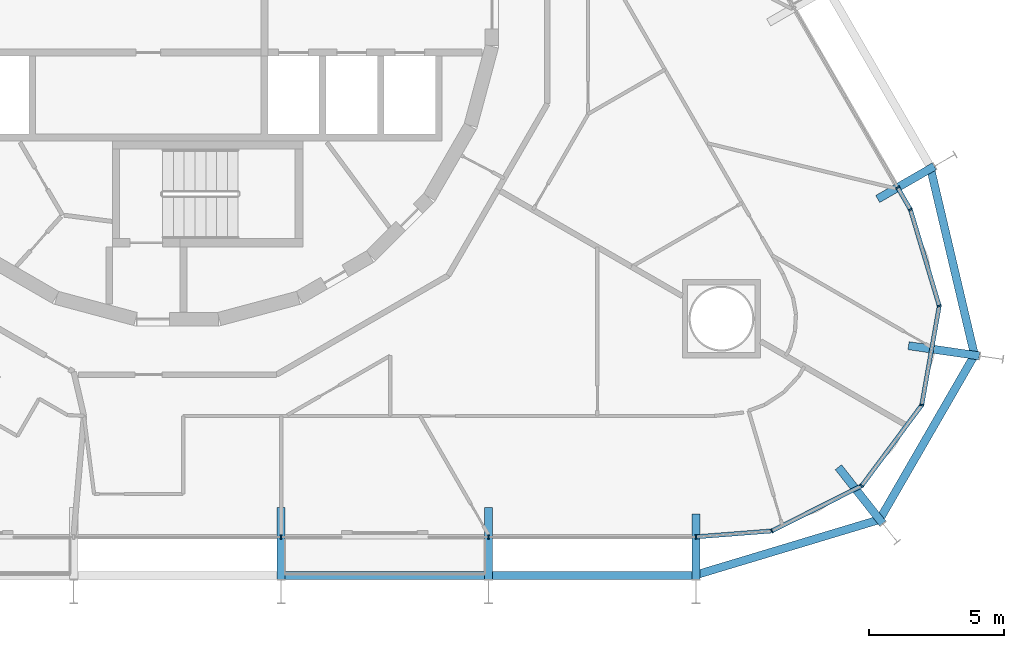
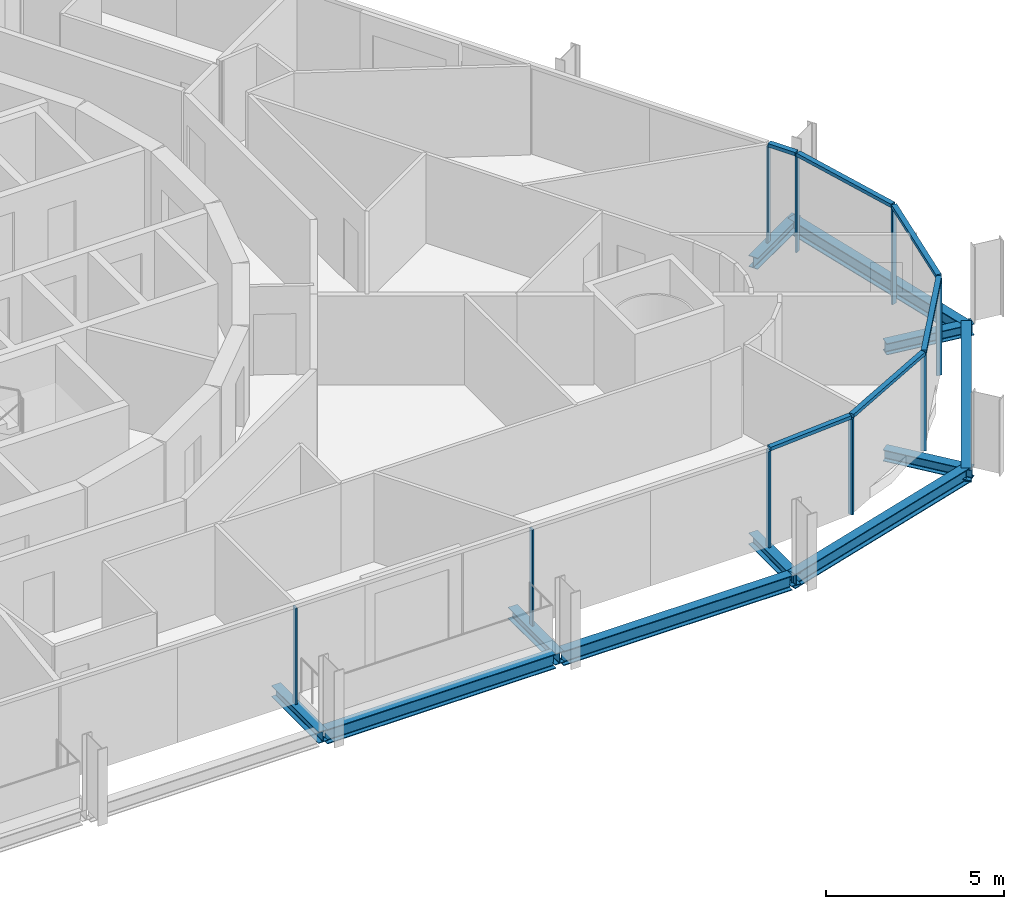
# One storey, part 6 of 20: 15 members, 11 beams, 3 elements without a shape of their own.
"""IFC4 building model written with IfcOpenShell, lengths in metres."""

from ifc_helpers import new_model, si_unit, direction, frame, origin, origin_2d, place, context, subcontext, project, spatial, rectangle, i_section, extrude, material, layer, layer_set, material_profile, profile_set, type_object, element, aggregate, save


model = new_model("IFC4")

# Units and contexts
model_context = context("Model", 3, precision=1e-05, world=origin(), true_north=direction((0.0, 1.0)))
body_context = subcontext(model_context, "Body", "Model", "MODEL_VIEW")
ifc_project = project(units=[si_unit("LENGTHUNIT", "METRE"), si_unit("AREAUNIT", "SQUARE_METRE"), si_unit("VOLUMEUNIT", "CUBIC_METRE"), si_unit("PLANEANGLEUNIT", "RADIAN"), si_unit("MASSUNIT", "GRAM", prefix="KILO")], contexts=[model_context])

# Site, building, storey
site_placement = place(None, origin())
site = spatial("IfcSite", under=ifc_project, at=site_placement, CompositionType="ELEMENT")
building_placement = place(site_placement, origin())
building = spatial("IfcBuilding", under=site, at=building_placement, Name="Spindle Arch Residences", CompositionType="ELEMENT")
storey_placement = place(building_placement, frame((0.0, 0.0, 66.39990234375)))
storey = spatial("IfcBuildingStorey", under=building, at=storey_placement, Name="L15", CompositionType="ELEMENT", Elevation=66.39990234375)

# Curtain wall, members
ifc_material_1 = material(Name="Aluminium bronze unitised frame with tinted glass", Category="aluminium")
ifc_layer_1 = layer(ifc_material_1, 0.159912109375)
ifc_layer_set_1 = layer_set([ifc_layer_1], Name="CW-D corner wall on the fillet arcs")
curtain_wall_type_1 = type_object("IfcCurtainWallType", Name="CW-D corner wall on the fillet arcs", PredefinedType="NOTDEFINED", material=ifc_layer_set_1)
curtain_wall_1_placement = place(storey_placement, origin())
curtain_wall_1 = element("IfcCurtainWall", 1, at=curtain_wall_1_placement, inside=storey, type_object=curtain_wall_type_1, Name="CW-D L15 run 1", PredefinedType="NOTDEFINED")
ifc_material_2 = material(Name="Aluminium bronze anodised mullion", Category="aluminium")
ifc_material_profile_1 = material_profile(ifc_material_2, rectangle(XDim=0.159912109375, YDim=0.06005859375, at=origin_2d()), Name="MU 60x160")
ifc_profile_set_1 = profile_set([ifc_material_profile_1], Name="Aluminium bronze anodised mullion")
member_type_1 = type_object("IfcMemberType", Name="Bronze mullion 60x160", PredefinedType="MULLION", material=ifc_profile_set_1)
member_1_placement = place(storey_placement, frame((19.2001953125, -19.7099609375, -0.3798828125), z_axis=(0.0, 0.0, 1.0), x_axis=(-0.077364085451, 0.997002907861, 0.0)))
member_1 = element("IfcMember", 2, at=member_1_placement, type_object=member_type_1, Name="CW-D mullion 00", PredefinedType="MULLION", context=body_context, shape_type="SweptSolid", body=[
    extrude(rectangle(XDim=0.159912109375, YDim=0.06005859375, at=origin_2d()), origin(), (0.0, 0.0, 1.0), 3.31005859375),
])
member_2_placement = place(storey_placement, frame((22.007080078125, -19.4921875, -0.3798828125), z_axis=(0.0, 0.0, 1.0), x_axis=(-0.448799176213, 0.893632642326, 0.0)))
member_2 = element("IfcMember", 3, at=member_2_placement, type_object=member_type_1, Name="CW-D mullion 01", PredefinedType="MULLION", context=body_context, shape_type="SweptSolid", body=[
    extrude(rectangle(XDim=0.159912109375, YDim=0.06005859375, at=origin_2d()), origin(), (0.0, 0.0, 1.0), 3.31005859375),
])
member_3_placement = place(storey_placement, frame((25.33740234375, -17.819580078125, -0.3798828125), z_axis=(0.0, 0.0, 1.0), x_axis=(-0.802123189687, 0.597158595823, 0.0)))
member_3 = element("IfcMember", 4, at=member_3_placement, type_object=member_type_1, Name="CW-D mullion 02", PredefinedType="MULLION", context=body_context, shape_type="SweptSolid", body=[
    extrude(rectangle(XDim=0.159912109375, YDim=0.06005859375, at=origin_2d()), origin(), (0.0, 0.0, 1.0), 3.31005859375),
])
member_4_placement = place(storey_placement, frame((27.562744140625, -14.830322265625, -0.3798828125), z_axis=(0.0, 0.0, 1.0), x_axis=(-0.984807752421, 0.173648181019, 0.0)))
member_4 = element("IfcMember", 5, at=member_4_placement, type_object=member_type_1, Name="CW-D mullion 03", PredefinedType="MULLION", context=body_context, shape_type="SweptSolid", body=[
    extrude(rectangle(XDim=0.159912109375, YDim=0.06005859375, at=origin_2d()), origin(), (0.0, 0.0, 1.0), 3.31005859375),
])
member_5_placement = place(storey_placement, frame((28.2099609375, -11.16015625, -0.3798828125), z_axis=(0.0, 0.0, 1.0), x_axis=(-0.957989512975, -0.28680323051, 0.0)))
member_5 = element("IfcMember", 6, at=member_5_placement, type_object=member_type_1, Name="CW-D mullion 04", PredefinedType="MULLION", context=body_context, shape_type="SweptSolid", body=[
    extrude(rectangle(XDim=0.159912109375, YDim=0.06005859375, at=origin_2d()), origin(), (0.0, 0.0, 1.0), 3.31005859375),
])
member_6_placement = place(storey_placement, frame((27.14111328125, -7.58984375, -0.3798828125), z_axis=(0.0, 0.0, 1.0), x_axis=(-0.866025403784, -0.5, 0.0)))
member_6 = element("IfcMember", 7, at=member_6_placement, type_object=member_type_1, Name="CW-D mullion 05", PredefinedType="MULLION", context=body_context, shape_type="SweptSolid", body=[
    extrude(rectangle(XDim=0.159912109375, YDim=0.06005859375, at=origin_2d()), origin(), (0.0, 0.0, 1.0), 3.31005859375),
])

# Curtain wall, member
ifc_material_3 = material(Name="Aluminium bronze unitised frame with tinted glass", Category="aluminium")
ifc_layer_2 = layer(ifc_material_3, 0.159912109375)
ifc_layer_set_2 = layer_set([ifc_layer_2], Name="CW-C typical residential unitised wall")
curtain_wall_type_2 = type_object("IfcCurtainWallType", Name="CW-C typical residential unitised wall", PredefinedType="NOTDEFINED", material=ifc_layer_set_2)
curtain_wall_2_placement = place(storey_placement, origin())
curtain_wall_2 = element("IfcCurtainWall", 8, at=curtain_wall_2_placement, inside=storey, type_object=curtain_wall_type_2, Name="CW-C L15 run 2", PredefinedType="NOTDEFINED")
member_7_placement = place(storey_placement, frame((26.66943359375, -6.77294921875, -0.3798828125), z_axis=(0.0, 0.0, 1.0), x_axis=(-0.866025403784, -0.5, 0.0)))
member_7 = element("IfcMember", 9, at=member_7_placement, type_object=member_type_1, Name="CW-C mullion 05", PredefinedType="MULLION", context=body_context, shape_type="SweptSolid", body=[
    extrude(rectangle(XDim=0.159912109375, YDim=0.06005859375, at=origin_2d()), origin(), (0.0, 0.0, 1.0), 3.31005859375),
])
aggregate(curtain_wall_2, [member_7])

# Curtain wall, members
curtain_wall_3_placement = place(storey_placement, origin())
curtain_wall_3 = element("IfcCurtainWall", 10, at=curtain_wall_3_placement, inside=storey, type_object=curtain_wall_type_2, Name="CW-C L15 run 6", PredefinedType="NOTDEFINED")
member_8_placement = place(storey_placement, frame((3.840087890625, -19.7099609375, -0.3798828125), z_axis=(0.0, 0.0, 1.0), x_axis=(0.0, 1.0, 0.0)))
member_8 = element("IfcMember", 11, at=member_8_placement, type_object=member_type_1, Name="CW-C mullion 00", PredefinedType="MULLION", context=body_context, shape_type="SweptSolid", body=[
    extrude(rectangle(XDim=0.159912109375, YDim=0.06005859375, at=origin_2d()), origin(), (0.0, 0.0, 1.0), 3.31005859375),
])
member_9_placement = place(storey_placement, frame((11.52001953125, -19.7099609375, -0.3798828125), z_axis=(0.0, 0.0, 1.0), x_axis=(0.0, 1.0, 0.0)))
member_9 = element("IfcMember", 12, at=member_9_placement, type_object=member_type_1, Name="CW-C mullion 01", PredefinedType="MULLION", context=body_context, shape_type="SweptSolid", body=[
    extrude(rectangle(XDim=0.159912109375, YDim=0.06005859375, at=origin_2d()), origin(), (0.0, 0.0, 1.0), 3.31005859375),
])
aggregate(curtain_wall_3, [member_8, member_9])

# Member
ifc_material_4 = material(Name="Aluminium bronze anodised transom", Category="aluminium")
ifc_material_profile_2 = material_profile(ifc_material_4, rectangle(XDim=0.159912109375, YDim=0.1201171875, at=origin_2d()), Name="TR 120x160")
ifc_profile_set_2 = profile_set([ifc_material_profile_2], Name="Aluminium bronze anodised transom")
member_type_2 = type_object("IfcMemberType", Name="Bronze transom 120x160", PredefinedType="USERDEFINED", material=ifc_profile_set_2)
member_10_placement = place(storey_placement, frame((19.22998046875, -19.70751953125, 2.989990234375), z_axis=(0.997003710875, 0.077353736189, 0.0), x_axis=(-0.077353736189, 0.997003710875, 0.0)))
member_10 = element("IfcMember", 13, at=member_10_placement, type_object=member_type_2, Name="CW-D transom 00", ObjectType="TRANSOM", PredefinedType="USERDEFINED", context=body_context, shape_type="SweptSolid", body=[
    extrude(rectangle(XDim=0.159912109375, YDim=0.1201171875, at=origin_2d()), origin(), (0.0, 0.0, 1.0), 2.75537109375),
])

member_11_placement = place(storey_placement, frame((22.03369140625, -19.478759765625, 2.989990234375), z_axis=(0.893626812559, 0.448810784046, 0.0), x_axis=(-0.448810784046, 0.893626812559, 0.0)))
member_11 = element("IfcMember", 14, at=member_11_placement, type_object=member_type_2, Name="CW-D transom 01", ObjectType="TRANSOM", PredefinedType="USERDEFINED", context=body_context, shape_type="SweptSolid", body=[
    extrude(rectangle(XDim=0.159912109375, YDim=0.1201171875, at=origin_2d()), origin(), (0.0, 0.0, 1.0), 3.6669921875),
])

member_12_placement = place(storey_placement, frame((25.355224609375, -17.79541015625, 2.989990234375), z_axis=(0.597173190998, 0.802112323776, 0.0), x_axis=(-0.802112323776, 0.597173190998, 0.0)))
member_12 = element("IfcMember", 15, at=member_12_placement, type_object=member_type_2, Name="CW-D transom 02", ObjectType="TRANSOM", PredefinedType="USERDEFINED", context=body_context, shape_type="SweptSolid", body=[
    extrude(rectangle(XDim=0.159912109375, YDim=0.1201171875, at=origin_2d()), origin(), (0.0, 0.0, 1.0), 3.666748046875),
])

member_13_placement = place(storey_placement, frame((27.56787109375, -14.80078125, 2.989990234375), z_axis=(0.173709368694, 0.984796961423, 0.0), x_axis=(-0.984796961423, 0.173709368694, 0.0)))
member_13 = element("IfcMember", 16, at=member_13_placement, type_object=member_type_2, Name="CW-D transom 03", ObjectType="TRANSOM", PredefinedType="USERDEFINED", context=body_context, shape_type="SweptSolid", body=[
    extrude(rectangle(XDim=0.159912109375, YDim=0.1201171875, at=origin_2d()), origin(), (0.0, 0.0, 1.0), 3.666748046875),
])

member_14_placement = place(storey_placement, frame((28.201416015625, -11.13134765625, 2.989990234375), z_axis=(-0.286834736274, 0.957980080203, 0.0), x_axis=(-0.957980080203, -0.286834736274, 0.0)))
member_14 = element("IfcMember", 17, at=member_14_placement, type_object=member_type_2, Name="CW-D transom 04", ObjectType="TRANSOM", PredefinedType="USERDEFINED", context=body_context, shape_type="SweptSolid", body=[
    extrude(rectangle(XDim=0.159912109375, YDim=0.1201171875, at=origin_2d()), origin(), (0.0, 0.0, 1.0), 3.666748046875),
])

member_15_placement = place(storey_placement, frame((27.1259765625, -7.56396484375, 2.989990234375), z_axis=(-0.499913830031, 0.866075148324, 0.0), x_axis=(-0.866075148324, -0.499913830031, 0.0)))
member_15 = element("IfcMember", 18, at=member_15_placement, type_object=member_type_2, Name="CW-D transom 05", ObjectType="TRANSOM", PredefinedType="USERDEFINED", context=body_context, shape_type="SweptSolid", body=[
    extrude(rectangle(XDim=0.159912109375, YDim=0.1201171875, at=origin_2d()), origin(), (0.0, 0.0, 1.0), 0.883544921875),
])

aggregate(curtain_wall_1, [member_1, member_10, member_2, member_11, member_3, member_12, member_4, member_13, member_5, member_14, member_6, member_15])

# Beams
ifc_material_5 = material(Name="Steel S460ML, intumescent coating R 120", Category="steel")
ifc_material_profile_3 = material_profile(ifc_material_5, i_section(OverallWidth=0.300048828125, OverallDepth=0.5, WebThickness=0.014404296875, FlangeThickness=0.028076171875, FilletRadius=0.027099609375, at=origin_2d()), Name="HEB 500")
ifc_profile_set_3 = profile_set([ifc_material_profile_3], Name="Steel S460ML, intumescent coating R 120")
beam_type_1 = type_object("IfcBeamType", Name="Exoskeleton edge beam HEB 500", PredefinedType="BEAM", material=ifc_profile_set_3)
for number, where, z_axis, x_axis, name in (
    (19, (3.969970703125, -21.142822265625, -0.6298828125), (1.0, 0.0, 0.0), (0.0, 1.0, 0.0), "Exoskeleton edge beam 1"),
    (20, (11.650146484375, -21.142822265625, -0.6298828125), (1.0, 0.0, 0.0), (0.0, 1.0, 0.0), "Exoskeleton edge beam 2"),
):
    element("IfcBeam", number, at=place(storey_placement, frame(where, z_axis=z_axis, x_axis=x_axis)), inside=storey, type_object=beam_type_1, Name=name, PredefinedType="BEAM", context=body_context, shape_type="SweptSolid", body=[
        extrude(i_section(OverallWidth=0.300048828125, OverallDepth=0.5, WebThickness=0.014404296875, FlangeThickness=0.028076171875, FilletRadius=0.027099609375, at=origin_2d()), origin(), (0.0, 0.0, 1.0), 7.420166015625),
    ])
beam_1_placement = place(storey_placement, frame((19.132568359375, -21.1376953125, -0.6298828125), z_axis=(0.95756732363, 0.288209681856, 0.0), x_axis=(-0.288209681856, 0.95756732363, 0.0)))
element("IfcBeam", 21, at=beam_1_placement, inside=storey, type_object=beam_type_1, Name="Exoskeleton edge beam 3", PredefinedType="BEAM", context=body_context, shape_type="SweptSolid", body=[
    extrude(i_section(OverallWidth=0.300048828125, OverallDepth=0.5, WebThickness=0.014404296875, FlangeThickness=0.028076171875, FilletRadius=0.027099609375, at=origin_2d()), origin(), (0.0, 0.0, 1.0), 7.250244140625),
])
beam_2_placement = place(storey_placement, frame((25.9482421875, -19.1591796875, -0.6298828125), z_axis=(0.499999897272, 0.866025463095, 0.0), x_axis=(-0.866025463095, 0.499999897272, 0.0)))
element("IfcBeam", 22, at=beam_2_placement, inside=storey, type_object=beam_type_1, Name="Exoskeleton edge beam 4", PredefinedType="BEAM", context=body_context, shape_type="SweptSolid", body=[
    extrude(i_section(OverallWidth=0.300048828125, OverallDepth=0.5, WebThickness=0.014404296875, FlangeThickness=0.028076171875, FilletRadius=0.027099609375, at=origin_2d()), origin(), (0.0, 0.0, 1.0), 7.236328125),
])
beam_3_placement = place(storey_placement, frame((29.53369140625, -13.0576171875, -0.6298828125), z_axis=(-0.229185730541, 0.973382710406, 0.0), x_axis=(-0.973382710406, -0.229185730541, 0.0)))
element("IfcBeam", 23, at=beam_3_placement, inside=storey, type_object=beam_type_1, Name="Exoskeleton edge beam 5", PredefinedType="BEAM", context=body_context, shape_type="SweptSolid", body=[
    extrude(i_section(OverallWidth=0.300048828125, OverallDepth=0.5, WebThickness=0.014404296875, FlangeThickness=0.028076171875, FilletRadius=0.027099609375, at=origin_2d()), origin(), (0.0, 0.0, 1.0), 7.25),
])
ifc_material_6 = material(Name="Steel S460ML, intumescent coating R 120", Category="steel")
ifc_material_profile_4 = material_profile(ifc_material_6, i_section(OverallWidth=0.300048828125, OverallDepth=0.389892578125, WebThickness=0.010986328125, FlangeThickness=0.01904296875, FilletRadius=0.027099609375, at=origin_2d()), Name="HEA 400")
ifc_profile_set_4 = profile_set([ifc_material_profile_4], Name="Steel S460ML, intumescent coating R 120")
beam_type_2 = type_object("IfcBeamType", Name="Floor outrigger HEA 400", PredefinedType="BEAM", material=ifc_profile_set_4)
for number, where, z_axis, x_axis, name in (
    (24, (3.840087890625, -21.27978515625, -0.574951171875), (0.0, 1.0, 0.0), (-1.0, 0.0, 0.0), "Floor outrigger 1"),
    (25, (11.52001953125, -21.27978515625, -0.574951171875), (0.0, 1.0, 0.0), (-1.0, 0.0, 0.0), "Floor outrigger 2"),
):
    element("IfcBeam", number, at=place(storey_placement, frame(where, z_axis=z_axis, x_axis=x_axis)), inside=storey, type_object=beam_type_2, Name=name, PredefinedType="BEAM", context=body_context, shape_type="SweptSolid", body=[
        extrude(i_section(OverallWidth=0.300048828125, OverallDepth=0.389892578125, WebThickness=0.010986328125, FlangeThickness=0.01904296875, FilletRadius=0.027099609375, at=origin_2d()), origin(), (0.0, 0.0, 1.0), 2.64990234375),
    ])
beam_4_placement = place(storey_placement, frame((19.2001953125, -21.27978515625, -0.574951171875), z_axis=(0.0, 1.0, 0.0), x_axis=(-1.0, 0.0, 0.0)))
element("IfcBeam", 26, at=beam_4_placement, inside=storey, type_object=beam_type_2, Name="Floor outrigger 3", PredefinedType="BEAM", context=body_context, shape_type="SweptSolid", body=[
    extrude(i_section(OverallWidth=0.300048828125, OverallDepth=0.389892578125, WebThickness=0.010986328125, FlangeThickness=0.01904296875, FilletRadius=0.027099609375, at=origin_2d()), origin(), (0.0, 0.0, 1.0), 2.42333984375),
])
for number, where, z_axis, x_axis, name in (
    (27, (26.11328125, -19.211669921875, -0.574951171875), (-0.618586231558, 0.785716917297, 0.0), (-0.785716917297, -0.618586231558, 0.0), "Floor outrigger 4"),
    (28, (29.694580078125, -13.009033203125, -0.574951171875), (-0.989738348309, 0.142891573883, 0.0), (-0.142891573883, -0.989738348309, 0.0), "Floor outrigger 5"),
):
    element("IfcBeam", number, at=place(storey_placement, frame(where, z_axis=z_axis, x_axis=x_axis)), inside=storey, type_object=beam_type_2, Name=name, PredefinedType="BEAM", context=body_context, shape_type="SweptSolid", body=[
        extrude(i_section(OverallWidth=0.300048828125, OverallDepth=0.389892578125, WebThickness=0.010986328125, FlangeThickness=0.01904296875, FilletRadius=0.027099609375, at=origin_2d()), origin(), (0.0, 0.0, 1.0), 2.64990234375),
    ])
beam_5_placement = place(storey_placement, frame((28.029052734375, -5.98779296875, -0.574951171875), z_axis=(-0.866002732682, -0.500039265445, 0.0), x_axis=(0.500039265445, -0.866002732682, 0.0)))
element("IfcBeam", 29, at=beam_5_placement, inside=storey, type_object=beam_type_2, Name="Floor outrigger 6", PredefinedType="BEAM", context=body_context, shape_type="SweptSolid", body=[
    extrude(i_section(OverallWidth=0.300048828125, OverallDepth=0.389892578125, WebThickness=0.010986328125, FlangeThickness=0.01904296875, FilletRadius=0.027099609375, at=origin_2d()), origin(), (0.0, 0.0, 1.0), 2.423583984375),
])

save(model, "model.ifc")
